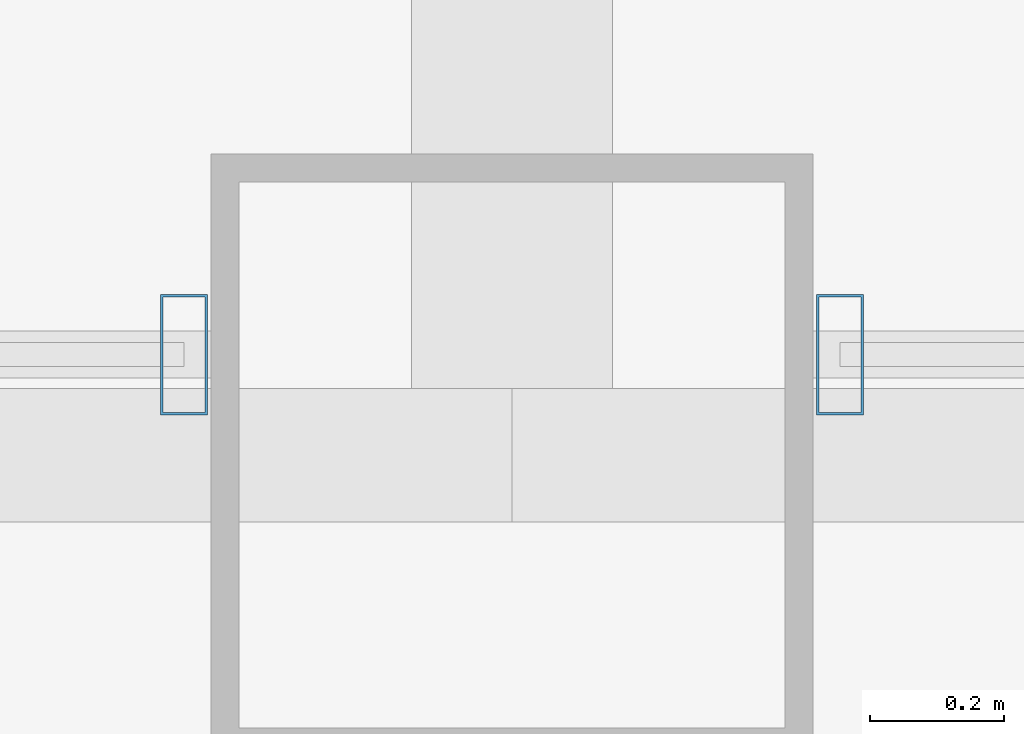
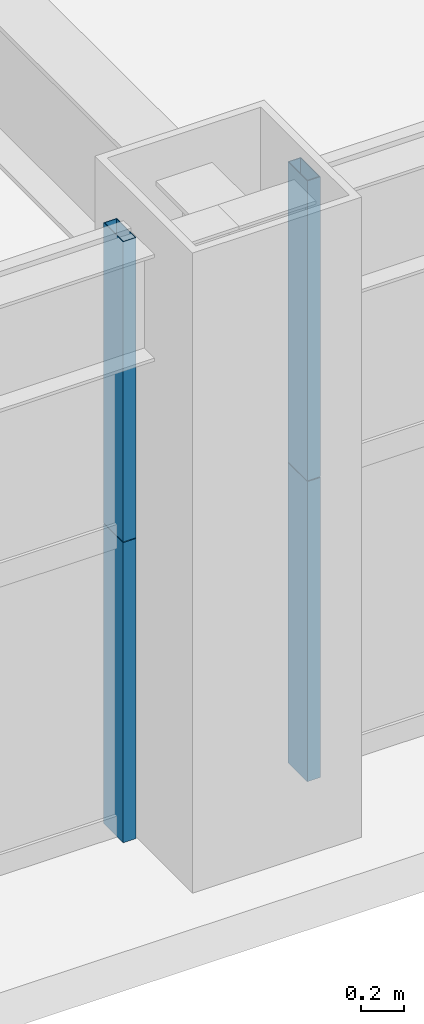
# One storey, part 7 of 43: 4 members, 2 elements without a shape of their own.
"""IFC4 building model written with IfcOpenShell, lengths in metres."""

from ifc_helpers import new_model, si_unit, direction, frame, origin, origin_2d, place, context, subcontext, project, spatial, hollow_rectangle, extrude, source, transform, mapped, material, layer, layer_set, material_profile, profile_set, type_object, element, aggregate, save


model = new_model("IFC4")

# Units and contexts
model_context = context("Model", 3, precision=1e-05, world=origin(), true_north=direction((0.0, 1.0)))
body_context = subcontext(model_context, "Body", "Model", "MODEL_VIEW")
ifc_project = project(units=[si_unit("LENGTHUNIT", "METRE"), si_unit("AREAUNIT", "SQUARE_METRE"), si_unit("VOLUMEUNIT", "CUBIC_METRE"), si_unit("PLANEANGLEUNIT", "RADIAN"), si_unit("MASSUNIT", "GRAM", prefix="KILO"), si_unit("THERMODYNAMICTEMPERATUREUNIT", "KELVIN"), si_unit("POWERUNIT", "WATT")], contexts=[model_context])

# Site, building, storey
site_placement = place(None, origin())
site = spatial("IfcSite", under=ifc_project, at=site_placement, CompositionType="ELEMENT")
building_placement = place(site_placement, origin())
building = spatial("IfcBuilding", under=site, at=building_placement, Name="Yuzanri Waterfront Tower", CompositionType="ELEMENT")
storey_placement = place(building_placement, frame((0.0, 0.0, 46.0)))
storey = spatial("IfcBuildingStorey", under=building, at=storey_placement, Name="L11", CompositionType="ELEMENT", Elevation=46.0)

# Curtain wall, members
ifc_material_1 = material(Name="Anodized Architectural Bronze", Category="metal")
ifc_layer = layer(ifc_material_1, 0.159912109375)
ifc_layer_set = layer_set([ifc_layer], Name="Anodized Architectural Bronze")
curtain_wall_type = type_object("IfcCurtainWallType", Name="Anodized Bronze Hotel Lower-Tier Recessed Unitized Curtain Wall 8100", PredefinedType="NOTDEFINED", material=ifc_layer_set)
curtain_wall_1_placement = place(storey_placement, origin())
curtain_wall_1 = element("IfcCurtainWall", 1, at=curtain_wall_1_placement, inside=storey, type_object=curtain_wall_type, Name="L11 Curtain Wall CW-L11-SL", PredefinedType="NOTDEFINED")
ifc_material_2 = material(Name="Anodized Architectural Bronze", Category="metal")
ifc_material_profile = material_profile(ifc_material_2, hollow_rectangle(XDim=0.070068359375, YDim=0.179931640625, WallThickness=0.00390625, at=origin_2d()), Name="CWM 70x180")
ifc_profile_set = profile_set([ifc_material_profile], Name="Anodized Architectural Bronze")
member_type = type_object("IfcMemberType", Name="Anodized Bronze Standard Curtain-Wall Mullion 70x180", PredefinedType="MULLION", material=ifc_profile_set)
shared_shape = source(origin(), body_context, "Body", "SweptSolid", [
    extrude(hollow_rectangle(XDim=0.070068359375, YDim=0.179931640625, WallThickness=0.00390625, at=origin_2d()), origin(), (0.0, 0.0, 1.0), 1.68798828125),
])
member_1_placement = place(storey_placement, frame((36.510009765625, 0.85009765625, 0.0), z_axis=(0.0, 0.0, 1.0), x_axis=(1.0, 0.0, 0.0)))
member_1 = element("IfcMember", 2, at=member_1_placement, type_object=member_type, Name="CW-L11-SL Lower Mullion 02", PredefinedType="MULLION", context=body_context, shape_type="MappedRepresentation", body=[
    mapped(shared_shape, transform((0.0, 0.0, 0.0), scale=1.0)),
])
member_2_placement = place(storey_placement, frame((36.510009765625, 0.85009765625, 1.69189453125), z_axis=(0.0, 0.0, 1.0), x_axis=(1.0, 0.0, 0.0)))
member_2 = element("IfcMember", 3, at=member_2_placement, type_object=member_type, Name="CW-L11-SL Upper Mullion 02", PredefinedType="MULLION", context=body_context, shape_type="MappedRepresentation", body=[
    mapped(shared_shape, transform((0.0, 0.0, 0.0), scale=1.0)),
])
aggregate(curtain_wall_1, [member_1, member_2])

curtain_wall_2_placement = place(storey_placement, origin())
curtain_wall_2 = element("IfcCurtainWall", 4, at=curtain_wall_2_placement, inside=storey, type_object=curtain_wall_type, Name="L11 Curtain Wall CW-L11-SR", PredefinedType="NOTDEFINED")
member_3_placement = place(storey_placement, frame((37.489990234375, 0.85009765625, 0.0), z_axis=(0.0, 0.0, 1.0), x_axis=(1.0, 0.0, 0.0)))
member_3 = element("IfcMember", 5, at=member_3_placement, type_object=member_type, Name="CW-L11-SR Lower Mullion 00", PredefinedType="MULLION", context=body_context, shape_type="MappedRepresentation", body=[
    mapped(shared_shape, transform((0.0, 0.0, 0.0), scale=1.0)),
])
member_4_placement = place(storey_placement, frame((37.489990234375, 0.85009765625, 1.69189453125), z_axis=(0.0, 0.0, 1.0), x_axis=(1.0, 0.0, 0.0)))
member_4 = element("IfcMember", 6, at=member_4_placement, type_object=member_type, Name="CW-L11-SR Upper Mullion 00", PredefinedType="MULLION", context=body_context, shape_type="MappedRepresentation", body=[
    mapped(shared_shape, transform((0.0, 0.0, 0.0), scale=1.0)),
])
aggregate(curtain_wall_2, [member_3, member_4])

save(model, "model.ifc")
